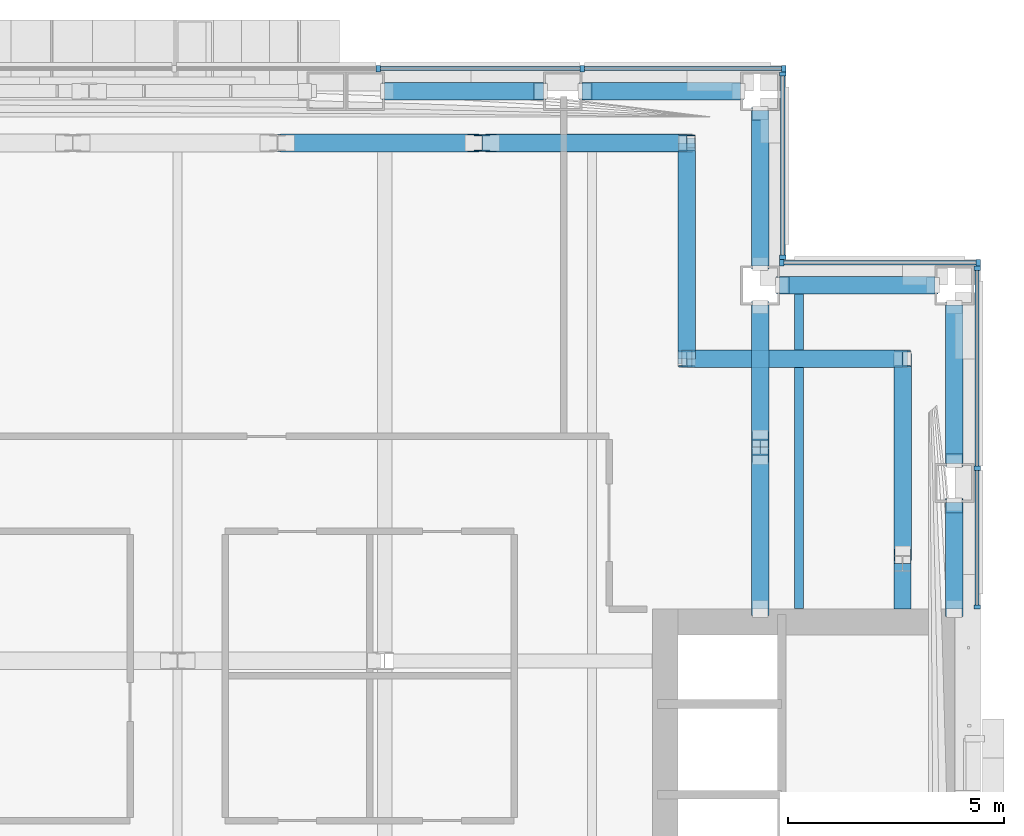
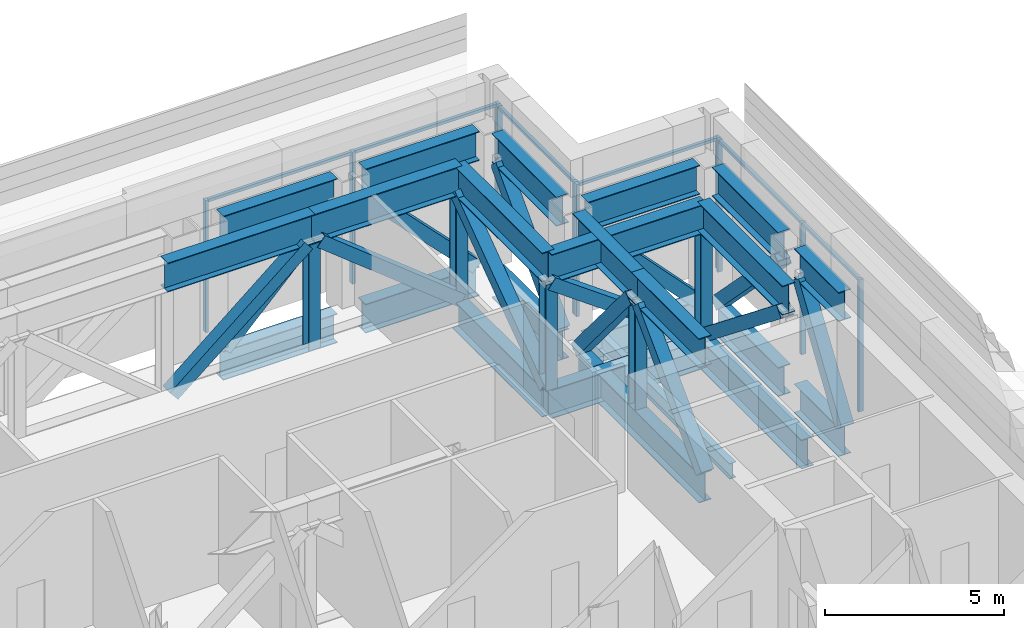
# One storey, part 8 of 38: 57 members, 2 beams, 4 elements without a shape of their own.
"""IFC4 building model written with IfcOpenShell, lengths in metres."""

from ifc_helpers import new_model, si_unit, direction, frame, origin, origin_2d, place, context, subcontext, project, spatial, rectangle, hollow_rectangle, i_section, extrude, material, material_profile, profile_set, type_object, element, aggregate, save


model = new_model("IFC4")

# Units and contexts
model_context = context("Model", 3, precision=1e-05, world=origin(), true_north=direction((0.0, 1.0)))
body_context = subcontext(model_context, "Body", "Model", "MODEL_VIEW")
ifc_project = project(units=[si_unit("LENGTHUNIT", "METRE"), si_unit("AREAUNIT", "SQUARE_METRE"), si_unit("VOLUMEUNIT", "CUBIC_METRE"), si_unit("PLANEANGLEUNIT", "RADIAN"), si_unit("MASSUNIT", "GRAM", prefix="KILO")], contexts=[model_context])

# Site, building, storey
site_placement = place(None, origin())
site = spatial("IfcSite", under=ifc_project, at=site_placement, CompositionType="ELEMENT")
building_placement = place(site_placement, origin())
building = spatial("IfcBuilding", under=site, at=building_placement, Name="Cobrizo Arcos Hotel Tower", CompositionType="ELEMENT")
storey_placement = place(building_placement, frame((0.0, 0.0, 138.0)))
storey = spatial("IfcBuildingStorey", under=building, at=storey_placement, Name="L35", CompositionType="ELEMENT", Elevation=138.0)

# Curtain wall, members
ifc_material_1 = material(Name="Aluminium 6063-T6 anodised bronze", Category="aluminium")
curtain_wall_type = type_object("IfcCurtainWallType", Name="CW-D plant louvre wall", PredefinedType="NOTDEFINED", material=ifc_material_1)
curtain_wall_1_placement = place(storey_placement, origin())
curtain_wall_1 = element("IfcCurtainWall", 1, at=curtain_wall_1_placement, inside=storey, type_object=curtain_wall_type, Name="CW-D L35 E face", PredefinedType="NOTDEFINED")
ifc_material_profile_1 = material_profile(ifc_material_1, rectangle(XDim=0.14990234375, YDim=0.10009765625, at=origin_2d()), Name="CW-D mullion 150x100")
ifc_profile_set_1 = profile_set([ifc_material_profile_1], Name="Aluminium 6063-T6 anodised bronze")
member_type_1 = type_object("IfcMemberType", Name="CW-D mullion 150x100", PredefinedType="MULLION", material=ifc_profile_set_1)
member_1_placement = place(storey_placement, frame((23.324951171875, 10.85009765625, 0.0), z_axis=(0.0, 0.0, 1.0), x_axis=(1.0, 0.0, 0.0)))
member_1 = element("IfcMember", 2, at=member_1_placement, type_object=member_type_1, Name="CW-D mullion 1", PredefinedType="MULLION", context=body_context, shape_type="SweptSolid", body=[
    extrude(rectangle(XDim=0.14990234375, YDim=0.10009765625, at=origin_2d()), origin(), (0.0, 0.0, 1.0), 4.5),
])
member_2_placement = place(storey_placement, frame((23.324951171875, 14.0625, 0.0), z_axis=(0.0, 0.0, 1.0), x_axis=(1.0, 0.0, 0.0)))
member_2 = element("IfcMember", 3, at=member_2_placement, type_object=member_type_1, Name="CW-D mullion 2", PredefinedType="MULLION", context=body_context, shape_type="SweptSolid", body=[
    extrude(rectangle(XDim=0.14990234375, YDim=0.10009765625, at=origin_2d()), origin(), (0.0, 0.0, 1.0), 4.5),
])
member_3_placement = place(storey_placement, frame((23.324951171875, 18.699951171875, 0.0), z_axis=(0.0, 0.0, 1.0), x_axis=(1.0, 0.0, 0.0)))
member_3 = element("IfcMember", 4, at=member_3_placement, type_object=member_type_1, Name="CW-D mullion 3", PredefinedType="MULLION", context=body_context, shape_type="SweptSolid", body=[
    extrude(rectangle(XDim=0.14990234375, YDim=0.10009765625, at=origin_2d()), origin(), (0.0, 0.0, 1.0), 4.5),
])

curtain_wall_2_placement = place(storey_placement, origin())
curtain_wall_2 = element("IfcCurtainWall", 5, at=curtain_wall_2_placement, inside=storey, type_object=curtain_wall_type, Name="CW-D L35 N face", PredefinedType="NOTDEFINED")
member_4_placement = place(storey_placement, frame((23.35009765625, 18.824951171875, 0.0), z_axis=(0.0, 0.0, 1.0), x_axis=(0.0, 1.0, 0.0)))
member_4 = element("IfcMember", 6, at=member_4_placement, type_object=member_type_1, Name="CW-D mullion 1", PredefinedType="MULLION", context=body_context, shape_type="SweptSolid", body=[
    extrude(rectangle(XDim=0.14990234375, YDim=0.10009765625, at=origin_2d()), origin(), (0.0, 0.0, 1.0), 4.5),
])
member_5_placement = place(storey_placement, frame((18.800048828125, 18.824951171875, 0.0), z_axis=(0.0, 0.0, 1.0), x_axis=(0.0, 1.0, 0.0)))
member_5 = element("IfcMember", 7, at=member_5_placement, type_object=member_type_1, Name="CW-D mullion 2", PredefinedType="MULLION", context=body_context, shape_type="SweptSolid", body=[
    extrude(rectangle(XDim=0.14990234375, YDim=0.10009765625, at=origin_2d()), origin(), (0.0, 0.0, 1.0), 4.5),
])

curtain_wall_3_placement = place(storey_placement, origin())
curtain_wall_3 = element("IfcCurtainWall", 8, at=curtain_wall_3_placement, inside=storey, type_object=curtain_wall_type, Name="CW-D L35 E face", PredefinedType="NOTDEFINED")
member_6_placement = place(storey_placement, frame((18.824951171875, 18.949951171875, 0.0), z_axis=(0.0, 0.0, 1.0), x_axis=(1.0, 0.0, 0.0)))
member_6 = element("IfcMember", 9, at=member_6_placement, type_object=member_type_1, Name="CW-D mullion 1", PredefinedType="MULLION", context=body_context, shape_type="SweptSolid", body=[
    extrude(rectangle(XDim=0.14990234375, YDim=0.10009765625, at=origin_2d()), origin(), (0.0, 0.0, 1.0), 4.5),
])
member_7_placement = place(storey_placement, frame((18.824951171875, 23.199951171875, 0.0), z_axis=(0.0, 0.0, 1.0), x_axis=(1.0, 0.0, 0.0)))
member_7 = element("IfcMember", 10, at=member_7_placement, type_object=member_type_1, Name="CW-D mullion 2", PredefinedType="MULLION", context=body_context, shape_type="SweptSolid", body=[
    extrude(rectangle(XDim=0.14990234375, YDim=0.10009765625, at=origin_2d()), origin(), (0.0, 0.0, 1.0), 4.5),
])

curtain_wall_4_placement = place(storey_placement, origin())
curtain_wall_4 = element("IfcCurtainWall", 11, at=curtain_wall_4_placement, inside=storey, type_object=curtain_wall_type, Name="CW-D L35 N face", PredefinedType="NOTDEFINED")
member_8_placement = place(storey_placement, frame((18.85009765625, 23.324951171875, 0.0), z_axis=(0.0, 0.0, 1.0), x_axis=(0.0, 1.0, 0.0)))
member_8 = element("IfcMember", 12, at=member_8_placement, type_object=member_type_1, Name="CW-D mullion 1", PredefinedType="MULLION", context=body_context, shape_type="SweptSolid", body=[
    extrude(rectangle(XDim=0.14990234375, YDim=0.10009765625, at=origin_2d()), origin(), (0.0, 0.0, 1.0), 4.5),
])
member_9_placement = place(storey_placement, frame((14.175048828125, 23.324951171875, 0.0), z_axis=(0.0, 0.0, 1.0), x_axis=(0.0, 1.0, 0.0)))
member_9 = element("IfcMember", 13, at=member_9_placement, type_object=member_type_1, Name="CW-D mullion 2", PredefinedType="MULLION", context=body_context, shape_type="SweptSolid", body=[
    extrude(rectangle(XDim=0.14990234375, YDim=0.10009765625, at=origin_2d()), origin(), (0.0, 0.0, 1.0), 4.5),
])
member_10_placement = place(storey_placement, frame((9.449951171875, 23.324951171875, 0.0), z_axis=(0.0, 0.0, 1.0), x_axis=(0.0, 1.0, 0.0)))
member_10 = element("IfcMember", 14, at=member_10_placement, type_object=member_type_1, Name="CW-D mullion 3", PredefinedType="MULLION", context=body_context, shape_type="SweptSolid", body=[
    extrude(rectangle(XDim=0.14990234375, YDim=0.10009765625, at=origin_2d()), origin(), (0.0, 0.0, 1.0), 4.5),
])

# Member
ifc_material_profile_2 = material_profile(ifc_material_1, rectangle(XDim=0.10009765625, YDim=0.10009765625, at=origin_2d()), Name="CW-D transom 100x100")
ifc_profile_set_2 = profile_set([ifc_material_profile_2], Name="Aluminium 6063-T6 anodised bronze")
member_type_2 = type_object("IfcMemberType", Name="CW-D transom 100x100", PredefinedType="USERDEFINED", material=ifc_profile_set_2)
member_11_placement = place(storey_placement, frame((23.324951171875, 10.89990234375, 4.449951171875), z_axis=(0.0, 1.0, 0.0), x_axis=(-1.0, 0.0, 0.0)))
member_11 = element("IfcMember", 15, at=member_11_placement, type_object=member_type_2, Name="CW-D transom 1287", ObjectType="TRANSOM", PredefinedType="USERDEFINED", context=body_context, shape_type="SweptSolid", body=[
    extrude(rectangle(XDim=0.10009765625, YDim=0.10009765625, at=origin_2d()), origin(), (0.0, 0.0, 1.0), 3.112548828125),
])

member_12_placement = place(storey_placement, frame((23.324951171875, 14.112548828125, 4.449951171875), z_axis=(0.0, 1.0, 0.0), x_axis=(-1.0, 0.0, 0.0)))
member_12 = element("IfcMember", 16, at=member_12_placement, type_object=member_type_2, Name="CW-D transom 1288", ObjectType="TRANSOM", PredefinedType="USERDEFINED", context=body_context, shape_type="SweptSolid", body=[
    extrude(rectangle(XDim=0.10009765625, YDim=0.10009765625, at=origin_2d()), origin(), (0.0, 0.0, 1.0), 4.537353515625),
])

aggregate(curtain_wall_1, [member_1, member_2, member_3, member_11, member_12])

member_13_placement = place(storey_placement, frame((23.300048828125, 18.824951171875, 4.449951171875), z_axis=(-1.0, 0.0, 0.0), x_axis=(0.0, -1.0, 0.0)))
member_13 = element("IfcMember", 17, at=member_13_placement, type_object=member_type_2, Name="CW-D transom 1289", ObjectType="TRANSOM", PredefinedType="USERDEFINED", context=body_context, shape_type="SweptSolid", body=[
    extrude(rectangle(XDim=0.10009765625, YDim=0.10009765625, at=origin_2d()), origin(), (0.0, 0.0, 1.0), 4.449951171875),
])

aggregate(curtain_wall_2, [member_4, member_5, member_13])

member_14_placement = place(storey_placement, frame((18.824951171875, 19.0, 4.449951171875), z_axis=(0.0, 1.0, 0.0), x_axis=(-1.0, 0.0, 0.0)))
member_14 = element("IfcMember", 18, at=member_14_placement, type_object=member_type_2, Name="CW-D transom 1290", ObjectType="TRANSOM", PredefinedType="USERDEFINED", context=body_context, shape_type="SweptSolid", body=[
    extrude(rectangle(XDim=0.10009765625, YDim=0.10009765625, at=origin_2d()), origin(), (0.0, 0.0, 1.0), 4.14990234375),
])

aggregate(curtain_wall_3, [member_6, member_7, member_14])

member_15_placement = place(storey_placement, frame((18.800048828125, 23.324951171875, 4.449951171875), z_axis=(-1.0, 0.0, 0.0), x_axis=(0.0, -1.0, 0.0)))
member_15 = element("IfcMember", 19, at=member_15_placement, type_object=member_type_2, Name="CW-D transom 1291", ObjectType="TRANSOM", PredefinedType="USERDEFINED", context=body_context, shape_type="SweptSolid", body=[
    extrude(rectangle(XDim=0.10009765625, YDim=0.10009765625, at=origin_2d()), origin(), (0.0, 0.0, 1.0), 4.574951171875),
])

member_16_placement = place(storey_placement, frame((14.125, 23.324951171875, 4.449951171875), z_axis=(-1.0, 0.0, 0.0), x_axis=(0.0, -1.0, 0.0)))
member_16 = element("IfcMember", 20, at=member_16_placement, type_object=member_type_2, Name="CW-D transom 1292", ObjectType="TRANSOM", PredefinedType="USERDEFINED", context=body_context, shape_type="SweptSolid", body=[
    extrude(rectangle(XDim=0.10009765625, YDim=0.10009765625, at=origin_2d()), origin(), (0.0, 0.0, 1.0), 4.625),
])

aggregate(curtain_wall_4, [member_8, member_9, member_10, member_15, member_16])

# Members
ifc_material_2 = material(Name="Steel ASTM A500 Grade C", Category="steel")
ifc_material_profile_3 = material_profile(ifc_material_2, hollow_rectangle(XDim=0.406494140625, YDim=0.406494140625, WallThickness=0.014892578125, at=origin_2d()), Name="HSS16X16X5/8")
ifc_profile_set_3 = profile_set([ifc_material_profile_3], Name="Steel ASTM A500 Grade C")
member_type_3 = type_object("IfcMemberType", Name="HSS16X16X5/8 truss diagonal", PredefinedType="BRACE", material=ifc_profile_set_3)
member_17_placement = place(storey_placement, frame((22.800048828125, 10.801025390625, -0.300048828125), z_axis=(0.0, 0.552747460916, 0.833348813194), x_axis=(-1.0, 0.0, 0.0)))
element("IfcMember", 21, at=member_17_placement, inside=storey, type_object=member_type_3, Name="Belt truss diagonal TD1, L35, no. 012", PredefinedType="BRACE", context=body_context, shape_type="SweptSolid", body=[
    extrude(hollow_rectangle(XDim=0.406494140625, YDim=0.406494140625, WallThickness=0.014892578125, at=origin_2d()), origin(), (0.0, 0.0, 1.0), 4.3310546875),
])
member_18_placement = place(storey_placement, frame((22.800048828125, 14.2548828125, 3.309326171875), z_axis=(0.0, 0.697692612805, -0.716397248764), x_axis=(-1.0, 0.0, 0.0)))
element("IfcMember", 22, at=member_18_placement, inside=storey, type_object=member_type_3, Name="Belt truss diagonal TD1, L35, no. 013", PredefinedType="BRACE", context=body_context, shape_type="SweptSolid", body=[
    extrude(hollow_rectangle(XDim=0.406494140625, YDim=0.406494140625, WallThickness=0.014892578125, at=origin_2d()), origin(), (0.0, 0.0, 1.0), 5.038330078125),
])
for number, where, z_axis, x_axis, name in (
    (23, (22.27001953125, 18.300048828125, -0.300048828125), (-0.689911887798, 0.0, 0.723893353385), (0.0, -1.0, 0.0), "Belt truss diagonal TD1, L35, no. 014"),
    (24, (18.300048828125, 18.830078125, -0.300048828125), (0.0, 0.689911887798, 0.723893353385), (-1.0, 0.0, 0.0), "Belt truss diagonal TD1, L35, no. 015"),
):
    element("IfcMember", number, at=place(storey_placement, frame(where, z_axis=z_axis, x_axis=x_axis)), inside=storey, type_object=member_type_3, Name=name, PredefinedType="BRACE", context=body_context, shape_type="SweptSolid", body=[
        extrude(hollow_rectangle(XDim=0.406494140625, YDim=0.406494140625, WallThickness=0.014892578125, at=origin_2d()), origin(), (0.0, 0.0, 1.0), 4.986083984375),
    ])
for number, where, z_axis, x_axis, name in (
    (25, (17.77001953125, 22.800048828125, -0.300048828125), (-0.697692612805, 0.0, 0.716397248764), (0.0, -1.0, 0.0), "Belt truss diagonal TD1, L35, no. 016"),
    (26, (13.195068359375, 22.800048828125, 3.309326171875), (-0.697692612805, 0.0, -0.716397248764), (0.0, -1.0, 0.0), "Belt truss diagonal TD1, L35, no. 017"),
):
    element("IfcMember", number, at=place(storey_placement, frame(where, z_axis=z_axis, x_axis=x_axis)), inside=storey, type_object=member_type_3, Name=name, PredefinedType="BRACE", context=body_context, shape_type="SweptSolid", body=[
        extrude(hollow_rectangle(XDim=0.406494140625, YDim=0.406494140625, WallThickness=0.014892578125, at=origin_2d()), origin(), (0.0, 0.0, 1.0), 5.038330078125),
    ])
member_19_placement = place(storey_placement, frame((21.60009765625, 12.056884765625, 3.309326171875), z_axis=(0.0, 0.782982461562, -0.622043780522), x_axis=(-1.0, 0.0, 0.0)))
element("IfcMember", 27, at=member_19_placement, inside=storey, type_object=member_type_3, Name="Belt truss diagonal TD1, L35, no. 041", PredefinedType="BRACE", context=body_context, shape_type="SweptSolid", body=[
    extrude(hollow_rectangle(XDim=0.406494140625, YDim=0.406494140625, WallThickness=0.014892578125, at=origin_2d()), origin(), (0.0, 0.0, 1.0), 5.802490234375),
])
for number, where, z_axis, x_axis, name in (
    (28, (21.60009765625, 16.60009765625, -0.300048828125), (-0.810812835162, 0.0, 0.585305515382), (0.0, -1.0, 0.0), "Belt truss diagonal TD1, L35, no. 042"),
    (29, (16.60009765625, 16.60009765625, -0.300048828125), (0.0, 0.810812835162, 0.585305515382), (-1.0, 0.0, 0.0), "Belt truss diagonal TD1, L35, no. 043"),
):
    element("IfcMember", number, at=place(storey_placement, frame(where, z_axis=z_axis, x_axis=x_axis)), inside=storey, type_object=member_type_3, Name=name, PredefinedType="BRACE", context=body_context, shape_type="SweptSolid", body=[
        extrude(hollow_rectangle(XDim=0.406494140625, YDim=0.406494140625, WallThickness=0.014892578125, at=origin_2d()), origin(), (0.0, 0.0, 1.0), 6.166748046875),
    ])
member_20_placement = place(storey_placement, frame((16.60009765625, 21.60009765625, -0.300048828125), z_axis=(-0.782982461562, 0.0, 0.622043780522), x_axis=(0.0, -1.0, 0.0)))
element("IfcMember", 30, at=member_20_placement, inside=storey, type_object=member_type_3, Name="Belt truss diagonal TD1, L35, no. 044", PredefinedType="BRACE", context=body_context, shape_type="SweptSolid", body=[
    extrude(hollow_rectangle(XDim=0.406494140625, YDim=0.406494140625, WallThickness=0.014892578125, at=origin_2d()), origin(), (0.0, 0.0, 1.0), 5.802490234375),
])
member_21_placement = place(storey_placement, frame((11.656982421875, 21.60009765625, 3.309326171875), z_axis=(-0.769074628043, 0.0, -0.639158991567), x_axis=(0.0, -1.0, 0.0)))
element("IfcMember", 31, at=member_21_placement, inside=storey, type_object=member_type_3, Name="Belt truss diagonal TD1, L35, no. 045", PredefinedType="BRACE", context=body_context, shape_type="SweptSolid", body=[
    extrude(hollow_rectangle(XDim=0.406494140625, YDim=0.406494140625, WallThickness=0.014892578125, at=origin_2d()), origin(), (0.0, 0.0, 1.0), 5.64697265625),
])
member_22_placement = place(storey_placement, frame((18.300048828125, 10.800048828125, -0.300048828125), z_axis=(0.0, 0.70122330533, 0.712941705935), x_axis=(-1.0, 0.0, 0.0)))
element("IfcMember", 32, at=member_22_placement, inside=storey, type_object=member_type_3, Name="Outrigger diagonal TD1, L35, no. 004", PredefinedType="BRACE", context=body_context, shape_type="SweptSolid", body=[
    extrude(hollow_rectangle(XDim=0.406494140625, YDim=0.406494140625, WallThickness=0.014892578125, at=origin_2d()), origin(), (0.0, 0.0, 1.0), 5.062744140625),
])
member_23_placement = place(storey_placement, frame((18.300048828125, 14.75, 3.309326171875), z_axis=(0.0, 0.641713914512, -0.766944099607), x_axis=(-1.0, 0.0, 0.0)))
element("IfcMember", 33, at=member_23_placement, inside=storey, type_object=member_type_3, Name="Outrigger diagonal TD1, L35, no. 005", PredefinedType="BRACE", context=body_context, shape_type="SweptSolid", body=[
    extrude(hollow_rectangle(XDim=0.406494140625, YDim=0.406494140625, WallThickness=0.014892578125, at=origin_2d()), origin(), (0.0, 0.0, 1.0), 4.706298828125),
])
ifc_material_3 = material(Name="Steel ASTM A992 Grade 50", Category="steel")
ifc_material_profile_4 = material_profile(ifc_material_3, i_section(OverallWidth=0.373291015625, OverallDepth=0.373291015625, WebThickness=0.016357421875, FlangeThickness=0.026123046875, at=origin_2d()), Name="W14X132")
ifc_profile_set_4 = profile_set([ifc_material_profile_4], Name="Steel ASTM A992 Grade 50")
member_type_4 = type_object("IfcMemberType", Name="W14X132 truss post", PredefinedType="POST", material=ifc_profile_set_4)
for number, where, z_axis, x_axis, name in (
    (34, (21.60009765625, 16.60009765625, -0.300048828125), (0.0, 0.0, 1.0), (1.0, 0.0, 0.0), "Truss post TP1, L35, no. 017"),
    (35, (16.60009765625, 16.60009765625, -0.300048828125), (0.0, 0.0, 1.0), (1.0, 0.0, 0.0), "Truss post TP1, L35, no. 018"),
    (36, (16.60009765625, 21.60009765625, -0.300048828125), (0.0, 0.0, 1.0), (1.0, 0.0, 0.0), "Truss post TP1, L35, no. 019"),
    (37, (11.85693359375, 21.60009765625, -0.300048828125), (0.0, 0.0, 1.0), (1.0, 0.0, 0.0), "Truss post TP1, L35, no. 020"),
    (38, (18.300048828125, 14.550048828125, -0.300048828125), (0.0, 0.0, 1.0), (1.0, 0.0, 0.0), "Truss post TP1, L35, no. 034"),
):
    element("IfcMember", number, at=place(storey_placement, frame(where, z_axis=z_axis, x_axis=x_axis)), inside=storey, type_object=member_type_4, Name=name, PredefinedType="POST", context=body_context, shape_type="SweptSolid", body=[
        extrude(i_section(OverallWidth=0.373291015625, OverallDepth=0.373291015625, WebThickness=0.016357421875, FlangeThickness=0.026123046875, at=origin_2d()), origin(), (0.0, 0.0, 1.0), 3.609375),
    ])

# Beams
ifc_material_profile_5 = material_profile(ifc_material_3, i_section(OverallWidth=0.209228515625, OverallDepth=0.533447265625, WebThickness=0.01025390625, FlangeThickness=0.015625, at=origin_2d()), Name="W21X62")
ifc_profile_set_5 = profile_set([ifc_material_profile_5], Name="Steel ASTM A992 Grade 50")
beam_type = type_object("IfcBeamType", Name="W21X62 joist", PredefinedType="JOIST", material=ifc_profile_set_5)
beam_1_placement = place(storey_placement, frame((19.199951171875, 10.81005859375, -0.566650390625), z_axis=(0.0, 1.0, 0.0), x_axis=(-1.0, 0.0, 0.0)))
element("IfcBeam", 39, at=beam_1_placement, inside=storey, type_object=beam_type, Name="Floor joist J1, L35, no. 023", PredefinedType="JOIST", context=body_context, shape_type="SweptSolid", body=[
    extrude(i_section(OverallWidth=0.209228515625, OverallDepth=0.533447265625, WebThickness=0.01025390625, FlangeThickness=0.015625, at=origin_2d()), origin(), (0.0, 0.0, 1.0), 5.58935546875),
])
beam_2_placement = place(storey_placement, frame((19.199951171875, 16.800537109375, -0.566650390625), z_axis=(0.0, 1.0, 0.0), x_axis=(-1.0, 0.0, 0.0)))
element("IfcBeam", 40, at=beam_2_placement, inside=storey, type_object=beam_type, Name="Floor joist J1, L35, no. 024", PredefinedType="JOIST", context=body_context, shape_type="SweptSolid", body=[
    extrude(i_section(OverallWidth=0.209228515625, OverallDepth=0.533447265625, WebThickness=0.01025390625, FlangeThickness=0.015625, at=origin_2d()), origin(), (0.0, 0.0, 1.0), 1.299072265625),
])

# Members
ifc_material_profile_6 = material_profile(ifc_material_3, i_section(OverallWidth=0.4013671875, OverallDepth=0.990478515625, WebThickness=0.0166015625, FlangeThickness=0.025390625, at=origin_2d()), Name="W40X215")
ifc_profile_set_6 = profile_set([ifc_material_profile_6], Name="Steel ASTM A992 Grade 50")
member_type_5 = type_object("IfcMemberType", Name="W40X215 belt truss chord", PredefinedType="CHORD", material=ifc_profile_set_6)
member_24_placement = place(storey_placement, frame((22.800048828125, 10.801025390625, -0.79541015625), z_axis=(0.0, 1.0, 0.0), x_axis=(-1.0, 0.0, 0.0)))
element("IfcMember", 41, at=member_24_placement, inside=storey, type_object=member_type_5, Name="Belt truss bottom chord TC1, L35, no. 010", PredefinedType="CHORD", context=body_context, shape_type="SweptSolid", body=[
    extrude(i_section(OverallWidth=0.4013671875, OverallDepth=0.990478515625, WebThickness=0.0166015625, FlangeThickness=0.025390625, at=origin_2d()), origin(), (0.0, 0.0, 1.0), 2.473876953125),
])
member_25_placement = place(storey_placement, frame((22.800048828125, 14.175048828125, -0.79541015625), z_axis=(0.0, 1.0, 0.0), x_axis=(-1.0, 0.0, 0.0)))
element("IfcMember", 42, at=member_25_placement, inside=storey, type_object=member_type_5, Name="Belt truss bottom chord TC1, L35, no. 011", PredefinedType="CHORD", context=body_context, shape_type="SweptSolid", body=[
    extrude(i_section(OverallWidth=0.4013671875, OverallDepth=0.990478515625, WebThickness=0.0166015625, FlangeThickness=0.025390625, at=origin_2d()), origin(), (0.0, 0.0, 1.0), 3.675048828125),
])
member_26_placement = place(storey_placement, frame((22.800048828125, 10.801025390625, 3.8046875), z_axis=(0.0, 1.0, 0.0), x_axis=(-1.0, 0.0, 0.0)))
element("IfcMember", 43, at=member_26_placement, inside=storey, type_object=member_type_5, Name="Belt truss top chord TC1, L35, no. 012", PredefinedType="CHORD", context=body_context, shape_type="SweptSolid", body=[
    extrude(i_section(OverallWidth=0.4013671875, OverallDepth=0.990478515625, WebThickness=0.0166015625, FlangeThickness=0.025390625, at=origin_2d()), origin(), (0.0, 0.0, 1.0), 2.473876953125),
])
member_27_placement = place(storey_placement, frame((22.800048828125, 14.175048828125, 3.8046875), z_axis=(0.0, 1.0, 0.0), x_axis=(-1.0, 0.0, 0.0)))
element("IfcMember", 44, at=member_27_placement, inside=storey, type_object=member_type_5, Name="Belt truss top chord TC1, L35, no. 013", PredefinedType="CHORD", context=body_context, shape_type="SweptSolid", body=[
    extrude(i_section(OverallWidth=0.4013671875, OverallDepth=0.990478515625, WebThickness=0.0166015625, FlangeThickness=0.025390625, at=origin_2d()), origin(), (0.0, 0.0, 1.0), 3.675048828125),
])
for number, where, z_axis, x_axis, name in (
    (45, (22.35009765625, 18.300048828125, -0.79541015625), (-1.0, 0.0, 0.0), (0.0, -1.0, 0.0), "Belt truss bottom chord TC1, L35, no. 012"),
    (46, (22.35009765625, 18.300048828125, 3.8046875), (-1.0, 0.0, 0.0), (0.0, -1.0, 0.0), "Belt truss top chord TC1, L35, no. 014"),
    (47, (18.300048828125, 18.75, -0.79541015625), (0.0, 1.0, 0.0), (-1.0, 0.0, 0.0), "Belt truss bottom chord TC1, L35, no. 013"),
    (48, (18.300048828125, 18.75, 3.8046875), (0.0, 1.0, 0.0), (-1.0, 0.0, 0.0), "Belt truss top chord TC1, L35, no. 015"),
):
    element("IfcMember", number, at=place(storey_placement, frame(where, z_axis=z_axis, x_axis=x_axis)), inside=storey, type_object=member_type_5, Name=name, PredefinedType="CHORD", context=body_context, shape_type="SweptSolid", body=[
        extrude(i_section(OverallWidth=0.4013671875, OverallDepth=0.990478515625, WebThickness=0.0166015625, FlangeThickness=0.025390625, at=origin_2d()), origin(), (0.0, 0.0, 1.0), 3.60009765625),
    ])
member_28_placement = place(storey_placement, frame((17.85009765625, 22.800048828125, -0.79541015625), z_axis=(-1.0, 0.0, 0.0), x_axis=(0.0, -1.0, 0.0)))
element("IfcMember", 49, at=member_28_placement, inside=storey, type_object=member_type_5, Name="Belt truss bottom chord TC1, L35, no. 014", PredefinedType="CHORD", context=body_context, shape_type="SweptSolid", body=[
    extrude(i_section(OverallWidth=0.4013671875, OverallDepth=0.990478515625, WebThickness=0.0166015625, FlangeThickness=0.025390625, at=origin_2d()), origin(), (0.0, 0.0, 1.0), 3.675048828125),
])
member_29_placement = place(storey_placement, frame((13.27490234375, 22.800048828125, -0.79541015625), z_axis=(-1.0, 0.0, 0.0), x_axis=(0.0, -1.0, 0.0)))
element("IfcMember", 50, at=member_29_placement, inside=storey, type_object=member_type_5, Name="Belt truss bottom chord TC1, L35, no. 015", PredefinedType="CHORD", context=body_context, shape_type="SweptSolid", body=[
    extrude(i_section(OverallWidth=0.4013671875, OverallDepth=0.990478515625, WebThickness=0.0166015625, FlangeThickness=0.025390625, at=origin_2d()), origin(), (0.0, 0.0, 1.0), 3.6748046875),
])
member_30_placement = place(storey_placement, frame((17.85009765625, 22.800048828125, 3.8046875), z_axis=(-1.0, 0.0, 0.0), x_axis=(0.0, -1.0, 0.0)))
element("IfcMember", 51, at=member_30_placement, inside=storey, type_object=member_type_5, Name="Belt truss top chord TC1, L35, no. 016", PredefinedType="CHORD", context=body_context, shape_type="SweptSolid", body=[
    extrude(i_section(OverallWidth=0.4013671875, OverallDepth=0.990478515625, WebThickness=0.0166015625, FlangeThickness=0.025390625, at=origin_2d()), origin(), (0.0, 0.0, 1.0), 3.675048828125),
])
member_31_placement = place(storey_placement, frame((13.27490234375, 22.800048828125, 3.8046875), z_axis=(-1.0, 0.0, 0.0), x_axis=(0.0, -1.0, 0.0)))
element("IfcMember", 52, at=member_31_placement, inside=storey, type_object=member_type_5, Name="Belt truss top chord TC1, L35, no. 017", PredefinedType="CHORD", context=body_context, shape_type="SweptSolid", body=[
    extrude(i_section(OverallWidth=0.4013671875, OverallDepth=0.990478515625, WebThickness=0.0166015625, FlangeThickness=0.025390625, at=origin_2d()), origin(), (0.0, 0.0, 1.0), 3.6748046875),
])
member_32_placement = place(storey_placement, frame((21.60009765625, 10.801025390625, -0.79541015625), z_axis=(0.0, 1.0, 0.0), x_axis=(-1.0, 0.0, 0.0)))
element("IfcMember", 53, at=member_32_placement, inside=storey, type_object=member_type_5, Name="Belt truss bottom chord TC1, L35, no. 031", PredefinedType="CHORD", context=body_context, shape_type="SweptSolid", body=[
    extrude(i_section(OverallWidth=0.4013671875, OverallDepth=0.990478515625, WebThickness=0.0166015625, FlangeThickness=0.025390625, at=origin_2d()), origin(), (0.0, 0.0, 1.0), 5.799072265625),
])
member_33_placement = place(storey_placement, frame((21.60009765625, 11.85693359375, 3.8046875), z_axis=(0.0, 1.0, 0.0), x_axis=(-1.0, 0.0, 0.0)))
element("IfcMember", 54, at=member_33_placement, inside=storey, type_object=member_type_5, Name="Belt truss top chord TC1, L35, no. 041", PredefinedType="CHORD", context=body_context, shape_type="SweptSolid", body=[
    extrude(i_section(OverallWidth=0.4013671875, OverallDepth=0.990478515625, WebThickness=0.0166015625, FlangeThickness=0.025390625, at=origin_2d()), origin(), (0.0, 0.0, 1.0), 4.7431640625),
])
for number, where, z_axis, x_axis, name in (
    (55, (21.60009765625, 16.60009765625, -0.79541015625), (-1.0, 0.0, 0.0), (0.0, -1.0, 0.0), "Belt truss bottom chord TC1, L35, no. 032"),
    (56, (21.60009765625, 16.60009765625, 3.8046875), (-1.0, 0.0, 0.0), (0.0, -1.0, 0.0), "Belt truss top chord TC1, L35, no. 042"),
    (57, (16.60009765625, 16.60009765625, -0.79541015625), (0.0, 1.0, 0.0), (-1.0, 0.0, 0.0), "Belt truss bottom chord TC1, L35, no. 033"),
    (58, (16.60009765625, 16.60009765625, 3.8046875), (0.0, 1.0, 0.0), (-1.0, 0.0, 0.0), "Belt truss top chord TC1, L35, no. 043"),
):
    element("IfcMember", number, at=place(storey_placement, frame(where, z_axis=z_axis, x_axis=x_axis)), inside=storey, type_object=member_type_5, Name=name, PredefinedType="CHORD", context=body_context, shape_type="SweptSolid", body=[
        extrude(i_section(OverallWidth=0.4013671875, OverallDepth=0.990478515625, WebThickness=0.0166015625, FlangeThickness=0.025390625, at=origin_2d()), origin(), (0.0, 0.0, 1.0), 5.0),
    ])
member_34_placement = place(storey_placement, frame((16.60009765625, 21.60009765625, 3.8046875), z_axis=(-1.0, 0.0, 0.0), x_axis=(0.0, -1.0, 0.0)))
element("IfcMember", 59, at=member_34_placement, inside=storey, type_object=member_type_5, Name="Belt truss top chord TC1, L35, no. 044", PredefinedType="CHORD", context=body_context, shape_type="SweptSolid", body=[
    extrude(i_section(OverallWidth=0.4013671875, OverallDepth=0.990478515625, WebThickness=0.0166015625, FlangeThickness=0.025390625, at=origin_2d()), origin(), (0.0, 0.0, 1.0), 4.7431640625),
])
member_35_placement = place(storey_placement, frame((11.85693359375, 21.60009765625, 3.8046875), z_axis=(-1.0, 0.0, 0.0), x_axis=(0.0, -1.0, 0.0)))
element("IfcMember", 60, at=member_35_placement, inside=storey, type_object=member_type_5, Name="Belt truss top chord TC1, L35, no. 045", PredefinedType="CHORD", context=body_context, shape_type="SweptSolid", body=[
    extrude(i_section(OverallWidth=0.4013671875, OverallDepth=0.990478515625, WebThickness=0.0166015625, FlangeThickness=0.025390625, at=origin_2d()), origin(), (0.0, 0.0, 1.0), 4.742919921875),
])
member_36_placement = place(storey_placement, frame((18.300048828125, 10.800048828125, -0.79541015625), z_axis=(0.0, 1.0, 0.0), x_axis=(-1.0, 0.0, 0.0)))
element("IfcMember", 61, at=member_36_placement, inside=storey, type_object=member_type_5, Name="Outrigger bottom chord TC1, L35, no. 003", PredefinedType="CHORD", context=body_context, shape_type="SweptSolid", body=[
    extrude(i_section(OverallWidth=0.4013671875, OverallDepth=0.990478515625, WebThickness=0.0166015625, FlangeThickness=0.025390625, at=origin_2d()), origin(), (0.0, 0.0, 1.0), 7.050048828125),
])
member_37_placement = place(storey_placement, frame((18.300048828125, 10.800048828125, 3.8046875), z_axis=(0.0, 1.0, 0.0), x_axis=(-1.0, 0.0, 0.0)))
element("IfcMember", 62, at=member_37_placement, inside=storey, type_object=member_type_5, Name="Outrigger top chord TC1, L35, no. 004", PredefinedType="CHORD", context=body_context, shape_type="SweptSolid", body=[
    extrude(i_section(OverallWidth=0.4013671875, OverallDepth=0.990478515625, WebThickness=0.0166015625, FlangeThickness=0.025390625, at=origin_2d()), origin(), (0.0, 0.0, 1.0), 3.75),
])
member_38_placement = place(storey_placement, frame((18.300048828125, 14.550048828125, 3.8046875), z_axis=(0.0, 1.0, 0.0), x_axis=(-1.0, 0.0, 0.0)))
element("IfcMember", 63, at=member_38_placement, inside=storey, type_object=member_type_5, Name="Outrigger top chord TC1, L35, no. 005", PredefinedType="CHORD", context=body_context, shape_type="SweptSolid", body=[
    extrude(i_section(OverallWidth=0.4013671875, OverallDepth=0.990478515625, WebThickness=0.0166015625, FlangeThickness=0.025390625, at=origin_2d()), origin(), (0.0, 0.0, 1.0), 3.300048828125),
])

save(model, "model.ifc")
